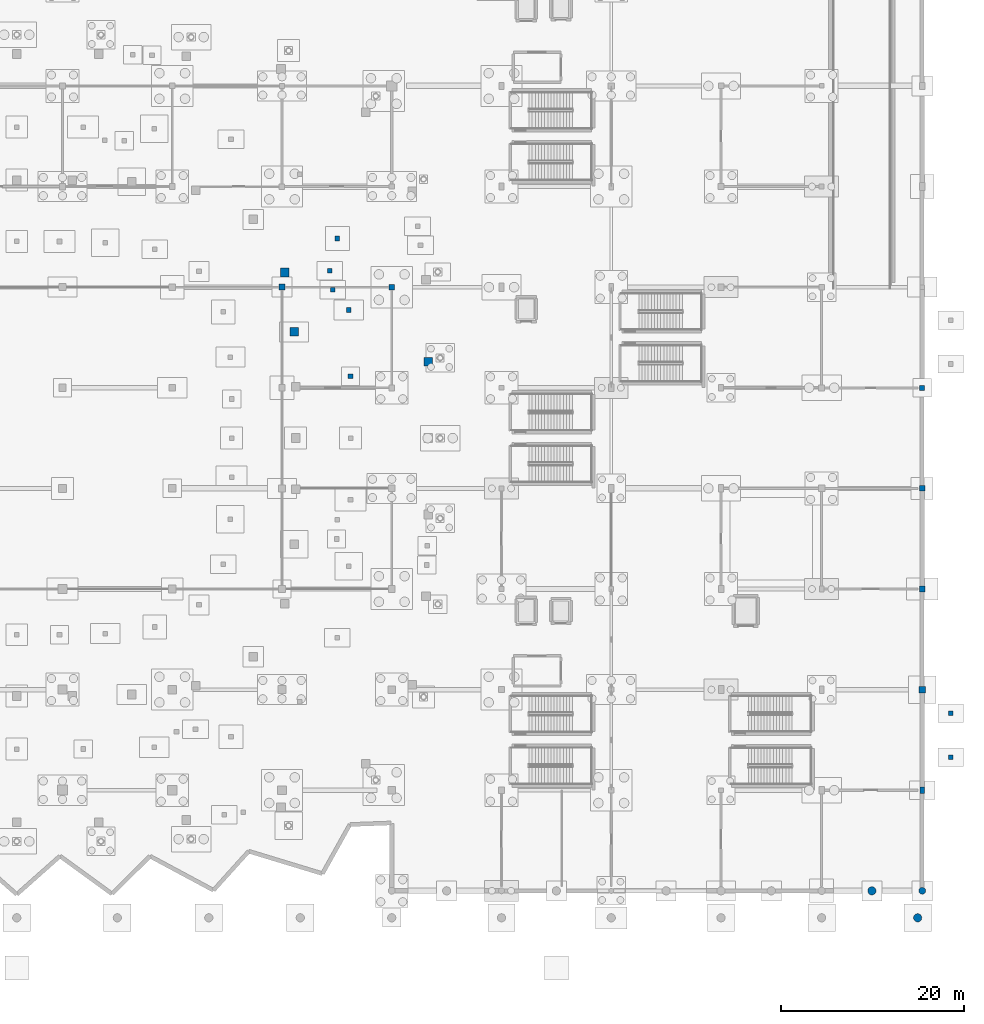
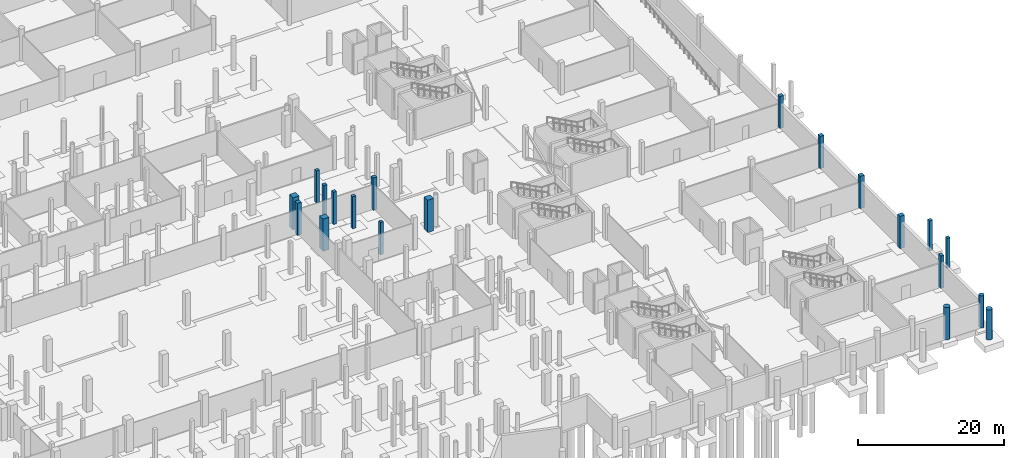
# One storey, part 20 of 60: 20 columns.
"""IFC4 building model written with IfcOpenShell, lengths in metres."""

from ifc_helpers import new_model, si_unit, direction, frame, origin, origin_2d, place, context, subcontext, project, spatial, rectangle, circle, extrude, material, material_profile, profile_set, type_object, element, save


model = new_model("IFC4")

# Units and contexts
model_context = context("Model", 3, precision=1e-05, world=origin(), true_north=direction((0.0, 1.0)))
body_context = subcontext(model_context, "Body", "Model", "MODEL_VIEW")
ifc_project = project(units=[si_unit("LENGTHUNIT", "METRE"), si_unit("AREAUNIT", "SQUARE_METRE"), si_unit("VOLUMEUNIT", "CUBIC_METRE"), si_unit("PLANEANGLEUNIT", "RADIAN"), si_unit("MASSUNIT", "GRAM", prefix="KILO")], contexts=[model_context])

# Site, building, storey
site_placement = place(None, origin())
site = spatial("IfcSite", under=ifc_project, at=site_placement, CompositionType="ELEMENT")
building_placement = place(site_placement, origin())
building = spatial("IfcBuilding", under=site, at=building_placement, Name="Luwafu Chhajja Arena", CompositionType="ELEMENT")
storey_placement = place(building_placement, frame((0.0, 0.0, -5.39990234375)))
storey = spatial("IfcBuildingStorey", under=building, at=storey_placement, Name="B1", CompositionType="ELEMENT", Elevation=-5.39990234375)

# Columns
ifc_material_1 = material(Name="Concrete C40/50", Category="concrete")
ifc_material_profile_1 = material_profile(ifc_material_1, rectangle(XDim=0.949951171875, YDim=0.949951171875, at=origin_2d()), Name="RC 950x950")
ifc_profile_set_1 = profile_set([ifc_material_profile_1], Name="Concrete C40/50")
column_type_1 = type_object("IfcColumnType", Name="Bowl Raker Support Column RC 950", PredefinedType="COLUMN", material=ifc_profile_set_1)
for number, where, z_axis, x_axis, name in (
    (1, (129.323486328125, 61.11328125, 0.0), (0.0, 0.0, 1.0), (1.0, 0.0, 0.0), "B1 Upper Bowl Raker Column UI03"),
    (2, (128.298583984375, 67.600341796875, 0.0), (0.0, 0.0, 1.0), (1.0, 0.0, 0.0), "B1 Upper Bowl Raker Column UI04"),
    (3, (143.98779296875, 57.85205078125, 0.0), (0.0, 0.0, 1.0), (1.0, 0.0, 0.0), "B1 Upper Bowl Raker Column UO02"),
):
    element("IfcColumn", number, at=place(storey_placement, frame(where, z_axis=z_axis, x_axis=x_axis)), inside=storey, type_object=column_type_1, Name=name, PredefinedType="COLUMN", context=body_context, shape_type="SweptSolid", body=[
        extrude(rectangle(XDim=0.949951171875, YDim=0.949951171875, at=origin_2d()), origin(), (0.0, 0.0, 1.0), 5.39990234375),
    ])
ifc_material_2 = material(Name="Concrete C35/45", Category="concrete")
ifc_material_profile_2 = material_profile(ifc_material_2, circle(Radius=0.375, at=origin_2d()), Name="RC COL D750")
ifc_profile_set_2 = profile_set([ifc_material_profile_2], Name="Concrete C35/45")
column_type_2 = type_object("IfcColumnType", Name="Charbagh Cloister Pier D750", PredefinedType="COLUMN", material=ifc_profile_set_2)
column_1_placement = place(storey_placement, frame((198.0, 0.0, 0.0), z_axis=(0.0, 0.0, 1.0), x_axis=(1.0, 0.0, 0.0)))
element("IfcColumn", 4, at=column_1_placement, inside=storey, type_object=column_type_2, Name="B1 Grid Column 18/A", PredefinedType="COLUMN", context=body_context, shape_type="SweptSolid", body=[
    extrude(circle(Radius=0.375, at=origin_2d()), origin(), (0.0, 0.0, 1.0), 5.39990234375),
])
ifc_material_profile_3 = material_profile(ifc_material_2, rectangle(XDim=0.550048828125, YDim=0.550048828125, at=origin_2d()), Name="RC 550x550")
ifc_profile_set_3 = profile_set([ifc_material_profile_3], Name="Concrete C35/45")
column_type_3 = type_object("IfcColumnType", Name="Gallery Column RC 550", PredefinedType="COLUMN", material=ifc_profile_set_3)
column_2_placement = place(storey_placement, frame((198.0, 55.0, 0.0), z_axis=(0.0, 0.0, 1.0), x_axis=(1.0, 0.0, 0.0)))
element("IfcColumn", 5, at=column_2_placement, inside=storey, type_object=column_type_3, Name="B1 Grid Column 18/F", PredefinedType="COLUMN", context=body_context, shape_type="SweptSolid", body=[
    extrude(rectangle(XDim=0.550048828125, YDim=0.550048828125, at=origin_2d()), origin(), (0.0, 0.0, 1.0), 5.39990234375),
])
ifc_material_profile_4 = material_profile(ifc_material_2, rectangle(XDim=0.60009765625, YDim=0.60009765625, at=origin_2d()), Name="RC 600x600")
ifc_profile_set_4 = profile_set([ifc_material_profile_4], Name="Concrete C35/45")
column_type_4 = type_object("IfcColumnType", Name="Mezzanine Column RC 600", PredefinedType="COLUMN", material=ifc_profile_set_4)
for number, where, z_axis, x_axis, name in (
    (6, (140.0, 66.0, 0.0), (0.0, 0.0, 1.0), (1.0, 0.0, 0.0), "B1 Grid Column 13/G"),
    (7, (198.0, 44.0, 0.0), (0.0, 0.0, 1.0), (1.0, 0.0, 0.0), "B1 Grid Column 18/E"),
):
    element("IfcColumn", number, at=place(storey_placement, frame(where, z_axis=z_axis, x_axis=x_axis)), inside=storey, type_object=column_type_4, Name=name, PredefinedType="COLUMN", context=body_context, shape_type="SweptSolid", body=[
        extrude(rectangle(XDim=0.60009765625, YDim=0.60009765625, at=origin_2d()), origin(), (0.0, 0.0, 1.0), 5.39990234375),
    ])
ifc_material_profile_5 = material_profile(ifc_material_1, circle(Radius=0.449951171875, at=origin_2d()), Name="RC COL D900")
ifc_profile_set_5 = profile_set([ifc_material_profile_5], Name="Concrete C40/50")
column_type_5 = type_object("IfcColumnType", Name="Mughal Colonnade Drum Pier D900", PredefinedType="COLUMN", material=ifc_profile_set_5)
column_3_placement = place(storey_placement, frame((192.5, 0.0, 0.0), z_axis=(0.0, 0.0, 1.0), x_axis=(1.0, 0.0, 0.0)))
element("IfcColumn", 8, at=column_3_placement, inside=storey, type_object=column_type_5, Name="B1 Mughal Riwaq Colonnade Pier SLW16", PredefinedType="COLUMN", context=body_context, shape_type="SweptSolid", body=[
    extrude(circle(Radius=0.449951171875, at=origin_2d()), origin(), (0.0, 0.0, 1.0), 5.39990234375),
])
column_4_placement = place(storey_placement, frame((197.5, -2.949951171875, 0.0), z_axis=(0.0, 0.0, 1.0), x_axis=(1.0, 0.0, 0.0)))
element("IfcColumn", 9, at=column_4_placement, inside=storey, type_object=column_type_5, Name="B1 Plinth Apron Pier FC19", PredefinedType="COLUMN", context=body_context, shape_type="SweptSolid", body=[
    extrude(circle(Radius=0.449951171875, at=origin_2d()), origin(), (0.0, 0.0, 1.0), 5.0498046875),
])
ifc_material_profile_6 = material_profile(ifc_material_2, rectangle(XDim=0.5, YDim=0.5, at=origin_2d()), Name="RC 500x500")
ifc_profile_set_6 = profile_set([ifc_material_profile_6], Name="Concrete C35/45")
column_type_6 = type_object("IfcColumnType", Name="Pavilion Column RC 500", PredefinedType="COLUMN", material=ifc_profile_set_6)
for number, where, z_axis, x_axis, name in (
    (10, (135.490234375, 56.26123046875, 0.0), (0.0, 0.0, 1.0), (1.0, 0.0, 0.0), "B1 Lower Bowl Support Column 02"),
    (11, (135.288818359375, 63.501708984375, 0.0), (0.0, 0.0, 1.0), (1.0, 0.0, 0.0), "B1 Lower Bowl Support Column 03"),
    (12, (134.06201171875, 71.322998046875, 0.0), (0.0, 0.0, 1.0), (1.0, 0.0, 0.0), "B1 Lower Bowl Support Column 04"),
):
    element("IfcColumn", number, at=place(storey_placement, frame(where, z_axis=z_axis, x_axis=x_axis)), inside=storey, type_object=column_type_6, Name=name, PredefinedType="COLUMN", context=body_context, shape_type="SweptSolid", body=[
        extrude(rectangle(XDim=0.5, YDim=0.5, at=origin_2d()), origin(), (0.0, 0.0, 1.0), 5.39990234375),
    ])
for number, where, z_axis, x_axis, name in (
    (13, (201.10009765625, 14.60009765625, 0.0), (0.0, 0.0, 1.0), (1.0, 0.0, 0.0), "B1 Exit Apron Plinth Pier EST1-1"),
    (14, (201.10009765625, 19.39990234375, 0.0), (0.0, 0.0, 1.0), (1.0, 0.0, 0.0), "B1 Exit Apron Plinth Pier EST1-2"),
):
    element("IfcColumn", number, at=place(storey_placement, frame(where, z_axis=z_axis, x_axis=x_axis)), inside=storey, type_object=column_type_6, Name=name, PredefinedType="COLUMN", context=body_context, shape_type="SweptSolid", body=[
        extrude(rectangle(XDim=0.5, YDim=0.5, at=origin_2d()), origin(), (0.0, 0.0, 1.0), 5.0498046875),
    ])
for number, where, z_axis, x_axis, name in (
    (15, (133.542236328125, 65.724609375, 0.0), (0.0, 0.0, 1.0), (1.0, 0.0, 0.0), "B1 Vomitory Stack Column VL03A"),
    (16, (133.216796875, 67.799072265625, 0.0), (0.0, 0.0, 1.0), (1.0, 0.0, 0.0), "B1 Vomitory Stack Column VL03B"),
):
    element("IfcColumn", number, at=place(storey_placement, frame(where, z_axis=z_axis, x_axis=x_axis)), inside=storey, type_object=column_type_6, Name=name, PredefinedType="COLUMN", context=body_context, shape_type="SweptSolid", body=[
        extrude(rectangle(XDim=0.5, YDim=0.5, at=origin_2d()), origin(), (0.0, 0.0, 1.0), 5.39990234375),
    ])
ifc_material_profile_7 = material_profile(ifc_material_2, rectangle(XDim=0.5, YDim=0.699951171875, at=origin_2d()), Name="RC 500x700")
ifc_profile_set_7 = profile_set([ifc_material_profile_7], Name="Concrete C35/45")
column_type_7 = type_object("IfcColumnType", Name="Perimeter Pilaster Column RC 500x700", PredefinedType="COLUMN", material=ifc_profile_set_7)
column_5_placement = place(storey_placement, frame((198.0, 11.0, 0.0), z_axis=(0.0, 0.0, 1.0), x_axis=(1.0, 0.0, 0.0)))
element("IfcColumn", 17, at=column_5_placement, inside=storey, type_object=column_type_7, Name="B1 Grid Column 18/B", PredefinedType="COLUMN", context=body_context, shape_type="SweptSolid", body=[
    extrude(rectangle(XDim=0.5, YDim=0.699951171875, at=origin_2d()), origin(), (0.0, 0.0, 1.0), 5.39990234375),
])
ifc_material_profile_8 = material_profile(ifc_material_2, rectangle(XDim=0.64990234375, YDim=0.64990234375, at=origin_2d()), Name="RC 650x650")
ifc_profile_set_8 = profile_set([ifc_material_profile_8], Name="Concrete C35/45")
column_type_8 = type_object("IfcColumnType", Name="Upper Wing Column RC 650", PredefinedType="COLUMN", material=ifc_profile_set_8)
for number, where, z_axis, x_axis, name in (
    (18, (128.0, 66.0, 0.0), (0.0, 0.0, 1.0), (1.0, 0.0, 0.0), "B1 Grid Column 12/G"),
    (19, (198.0, 33.0, 0.0), (0.0, 0.0, 1.0), (1.0, 0.0, 0.0), "B1 Grid Column 18/D"),
):
    element("IfcColumn", number, at=place(storey_placement, frame(where, z_axis=z_axis, x_axis=x_axis)), inside=storey, type_object=column_type_8, Name=name, PredefinedType="COLUMN", context=body_context, shape_type="SweptSolid", body=[
        extrude(rectangle(XDim=0.64990234375, YDim=0.64990234375, at=origin_2d()), origin(), (0.0, 0.0, 1.0), 5.39990234375),
    ])
ifc_material_profile_9 = material_profile(ifc_material_2, rectangle(XDim=0.699951171875, YDim=0.699951171875, at=origin_2d()), Name="RC 700x700")
ifc_profile_set_9 = profile_set([ifc_material_profile_9], Name="Concrete C35/45")
column_type_9 = type_object("IfcColumnType", Name="Wing Frame Column RC 700", PredefinedType="COLUMN", material=ifc_profile_set_9)
column_6_placement = place(storey_placement, frame((198.0, 22.0, 0.0), z_axis=(0.0, 0.0, 1.0), x_axis=(1.0, 0.0, 0.0)))
element("IfcColumn", 20, at=column_6_placement, inside=storey, type_object=column_type_9, Name="B1 Grid Column 18/C", PredefinedType="COLUMN", context=body_context, shape_type="SweptSolid", body=[
    extrude(rectangle(XDim=0.699951171875, YDim=0.699951171875, at=origin_2d()), origin(), (0.0, 0.0, 1.0), 5.39990234375),
])

save(model, "model.ifc")
